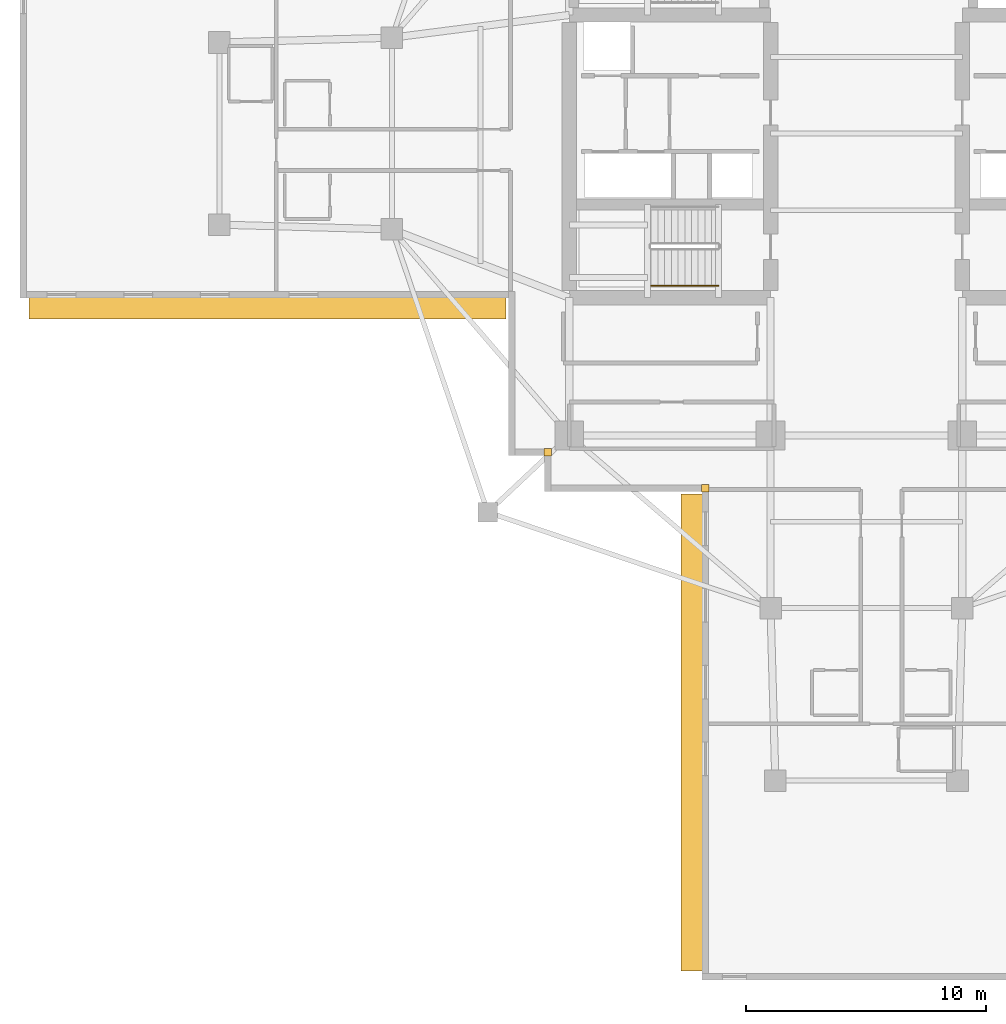
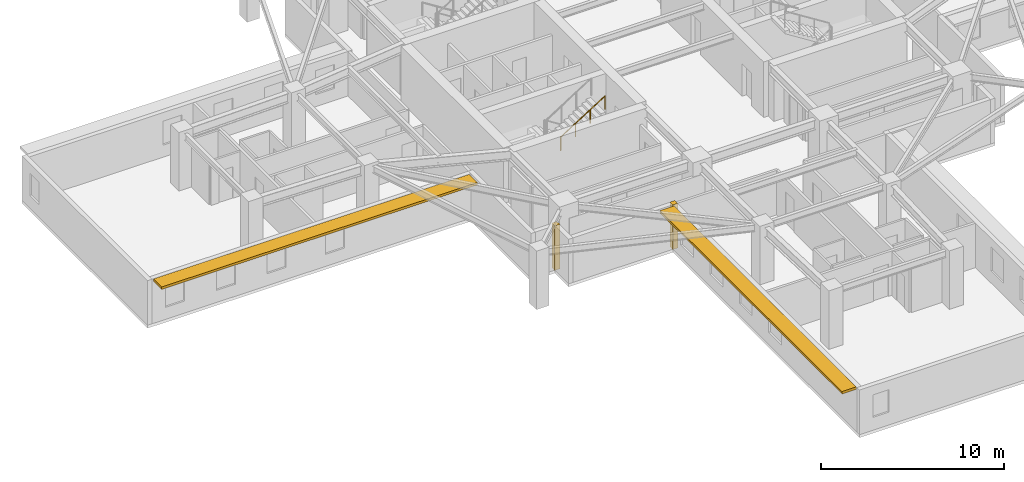
# One storey, part 9 of 13: 2 coverings, 2 shading devices, 1 railing.
"""IFC4 building model written with IfcOpenShell, lengths in metres."""

from ifc_helpers import new_model, si_unit, direction, frame, origin, origin_2d, place, context, subcontext, project, spatial, rectangle, circle, extrude, material, layer, layer_set, type_object, element, save


model = new_model("IFC4")

# Units and contexts
model_context = context("Model", 3, precision=1e-05, world=origin(), true_north=direction((0.0, 1.0)))
body_context = subcontext(model_context, "Body", "Model", "MODEL_VIEW")
ifc_project = project(units=[si_unit("LENGTHUNIT", "METRE"), si_unit("AREAUNIT", "SQUARE_METRE"), si_unit("VOLUMEUNIT", "CUBIC_METRE"), si_unit("PLANEANGLEUNIT", "RADIAN"), si_unit("MASSUNIT", "GRAM", prefix="KILO")], contexts=[model_context])

# Site, building, storey
site_placement = place(None, origin())
site = spatial("IfcSite", under=ifc_project, at=site_placement, CompositionType="ELEMENT")
building_placement = place(site_placement, origin())
building = spatial("IfcBuilding", under=site, at=building_placement, Name="Qingluan Cross Belvedere", CompositionType="ELEMENT")
storey_placement = place(building_placement, frame((0.0, 0.0, 183.89990234375)))
storey = spatial("IfcBuildingStorey", under=building, at=storey_placement, Name="L46", CompositionType="ELEMENT", Elevation=183.89990234375)

# Coverings
ifc_material_1 = material(Name="Precast concrete C45", Category="concrete")
ifc_layer_1 = layer(ifc_material_1, 0.1201171875, Name="ConcreteSpandrelCladding_120")
ifc_layer_set_1 = layer_set([ifc_layer_1], Name="Precast concrete C45")
covering_type = type_object("IfcCoveringType", Name="ConcreteSpandrelCladding_120", PredefinedType="CLADDING", material=ifc_layer_set_1)
for number, where, z_axis, x_axis, name in (
    (1, (-13.300048828125, -13.300048828125, 0.0), (0.0, 0.0, 1.0), (1.0, 0.0, 0.0), "Corner closure L46-SW1"),
    (2, (-6.719970703125, -14.800048828125, 0.0), (0.0, 0.0, 1.0), (1.0, 0.0, 0.0), "Corner closure L46-SW2"),
):
    element("IfcCovering", number, at=place(storey_placement, frame(where, z_axis=z_axis, x_axis=x_axis)), inside=storey, type_object=covering_type, Name=name, PredefinedType="CLADDING", context=body_context, shape_type="SweptSolid", body=[
        extrude(rectangle(XDim=0.320068359375, YDim=0.320068359375, at=origin_2d()), origin(), (0.0, 0.0, 1.0), 2.969970703125),
    ])

# Shading devices
ifc_material_2 = material(Name="Precast concrete C45", Category="concrete")
ifc_layer_2 = layer(ifc_material_2, 0.159912109375, Name="ConcreteSunshadeBand_900")
ifc_layer_set_2 = layer_set([ifc_layer_2], Name="Precast concrete C45")
shading_device_type = type_object("IfcShadingDeviceType", Name="ConcreteSunshadeBand_900", PredefinedType="USERDEFINED", material=ifc_layer_set_2)
for number, where, z_axis, x_axis, name in (
    (3, (-24.989990234375, -7.2900390625, 2.7900390625), (0.0, 0.0, 1.0), (1.0, 0.0, 0.0), "Concrete SUNSHADE L46-WB"),
    (4, (-7.2900390625, -24.989990234375, 2.7900390625), (0.0, 0.0, 1.0), (0.0, -1.0, 0.0), "Concrete SUNSHADE L46-SA"),
):
    element("IfcShadingDevice", number, at=place(storey_placement, frame(where, z_axis=z_axis, x_axis=x_axis)), inside=storey, type_object=shading_device_type, Name=name, ObjectType="SUNSHADE", PredefinedType="USERDEFINED", context=body_context, shape_type="SweptSolid", body=[
        extrude(rectangle(XDim=19.89990234375, YDim=0.89990234375, at=origin_2d()), origin(), (0.0, 0.0, 1.0), 0.159912109375),
    ])

# Railing
ifc_material_3 = material(Name="Brushed stainless steel tubular handrail", Category="steel")
railing_type = type_object("IfcRailingType", Name="StairPitchHandrail_900", PredefinedType="HANDRAIL", material=ifc_material_3)
railing_placement = place(storey_placement, frame((-8.97998046875, -6.35009765625, 2.12744140625)))
element("IfcRailing", 5, at=railing_placement, inside=storey, type_object=railing_type, Name="L46 ST1 stair handrail 2", PredefinedType="HANDRAIL", context=body_context, shape_type="SweptSolid", body=[
    extrude(circle(Radius=0.02392578125, at=origin_2d()), frame((0.0, 0.0, 0.8759765625), z_axis=(0.844908973607, 0.0, 0.534910110503), x_axis=(0.0, 1.0, 0.0)), (0.0, 0.0, 1.0), 3.31396484375),
    extrude(circle(Radius=0.02099609375, at=origin_2d()), origin(), (0.0, 0.0, 1.0), 0.851806640625),
    extrude(circle(Radius=0.02099609375, at=origin_2d()), frame((0.933349609375, 0.0, 0.5908203125)), (0.0, 0.0, 1.0), 0.851806640625),
    extrude(circle(Radius=0.02099609375, at=origin_2d()), frame((1.86669921875, 0.0, 1.181884765625)), (0.0, 0.0, 1.0), 0.851806640625),
    extrude(circle(Radius=0.02099609375, at=origin_2d()), frame((2.800048828125, 0.0, 1.772705078125)), (0.0, 0.0, 1.0), 0.851806640625),
])

save(model, "model.ifc")
